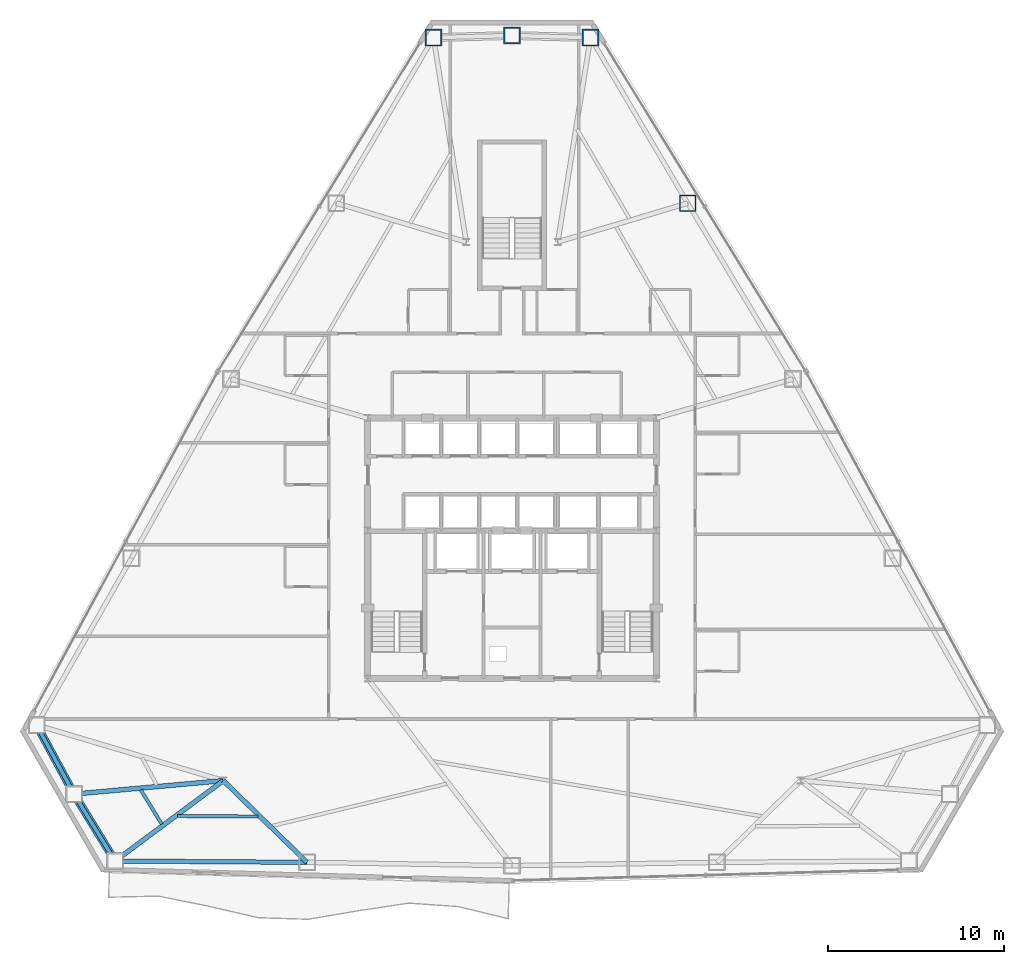
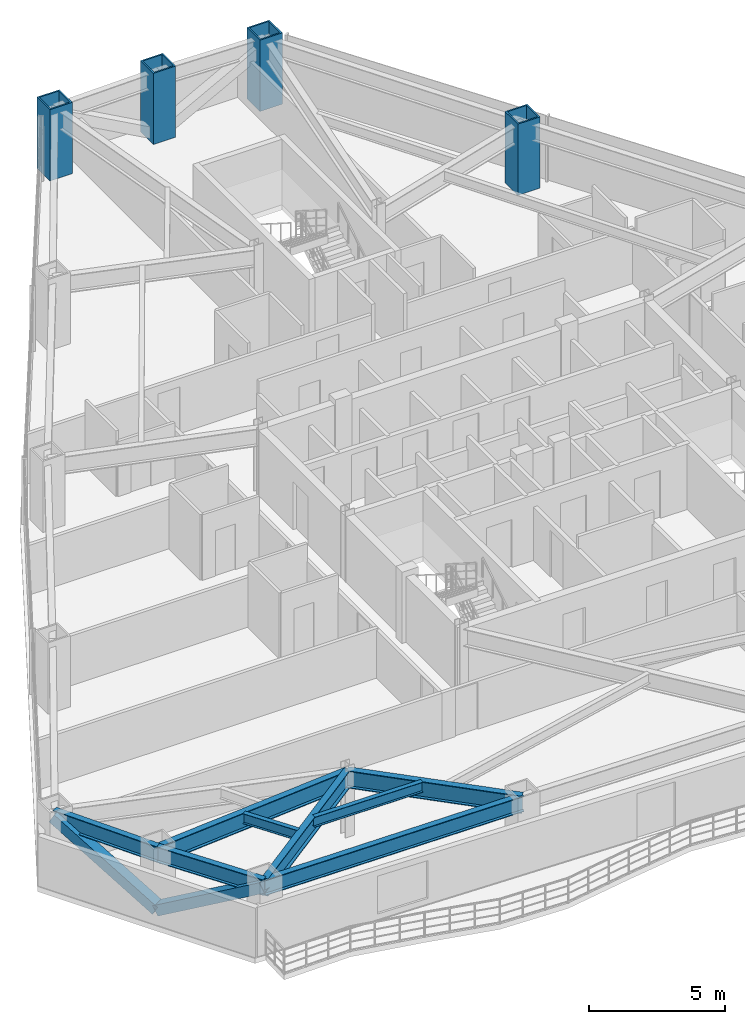
# One storey, part 3 of 13: 8 beams, 4 columns, 2 members.
"""IFC4 building model written with IfcOpenShell, lengths in metres."""

from ifc_helpers import new_model, si_unit, direction, frame, origin, origin_2d, place, context, subcontext, project, spatial, hollow_rectangle, i_section, extrude, source, transform, mapped, material, material_profile, profile_set, type_object, type_shapes, element, save


model = new_model("IFC4")

# Units and contexts
model_context = context("Model", 3, precision=1e-05, world=origin(), true_north=direction((0.0, 1.0)))
body_context = subcontext(model_context, "Body", "Model", "MODEL_VIEW")
ifc_project = project(units=[si_unit("LENGTHUNIT", "METRE"), si_unit("AREAUNIT", "SQUARE_METRE"), si_unit("VOLUMEUNIT", "CUBIC_METRE"), si_unit("PLANEANGLEUNIT", "RADIAN"), si_unit("MASSUNIT", "GRAM", prefix="KILO")], contexts=[model_context])

# Site, building, storey
site_placement = place(None, origin())
site = spatial("IfcSite", under=ifc_project, at=site_placement, CompositionType="ELEMENT")
building_placement = place(site_placement, origin())
building = spatial("IfcBuilding", under=site, at=building_placement, Name="Varakhsha Concourse Tower", CompositionType="ELEMENT")
storey_placement = place(building_placement, frame((0.0, 0.0, 108.60009765625)))
storey = spatial("IfcBuildingStorey", under=building, at=storey_placement, Name="L31", CompositionType="ELEMENT", Elevation=108.60009765625)

# Columns
ifc_material_1 = material(Name="Structural Steel ASTM A572 Grade 50", Category="steel")
ifc_material_profile_1 = material_profile(ifc_material_1, hollow_rectangle(XDim=0.949951171875, YDim=0.949951171875, WallThickness=0.06494140625, at=origin_2d()), Name="BOX 950x950x65")
ifc_profile_set_1 = profile_set([ifc_material_profile_1], Name="Structural Steel ASTM A572 Grade 50")
column_type = type_object("IfcColumnType", Name="CL-TUBE-950", PredefinedType="COLUMN", material=ifc_profile_set_1)
for number, where, z_axis, x_axis, name in (
    (1, (44.45849609375, 52.807861328125, 0.0), (0.0, 0.0, 1.0), (1.0, 0.0, 0.0), "L31 Framed-Tube Column TC01"),
    (2, (40.0, 52.927734375, 0.0), (0.0, 0.0, 1.0), (1.0, 0.0, 0.0), "L31 Framed-Tube Column TC02"),
    (3, (35.54150390625, 52.807861328125, 0.0), (0.0, 0.0, 1.0), (1.0, 0.0, 0.0), "L31 Framed-Tube Column TC03"),
    (4, (49.9765625, 43.40380859375, 0.0), (0.0, 0.0, 1.0), (1.0, 0.0, 0.0), "L31 Framed-Tube Column TC18"),
):
    element("IfcColumn", number, at=place(storey_placement, frame(where, z_axis=z_axis, x_axis=x_axis)), inside=storey, type_object=column_type, Name=name, PredefinedType="COLUMN", context=body_context, shape_type="SweptSolid", body=[
        extrude(hollow_rectangle(XDim=0.949951171875, YDim=0.949951171875, WallThickness=0.06494140625, at=origin_2d()), origin(), (0.0, 0.0, 1.0), 3.199951171875),
    ])

# Beams
ifc_material_2 = material(Name="Structural Steel ASTM A992 Grade 50", Category="steel")
ifc_material_profile_2 = material_profile(ifc_material_2, i_section(OverallWidth=0.26611328125, OverallDepth=0.779052734375, WebThickness=0.01708984375, FlangeThickness=0.030029296875, at=origin_2d()), Name="W30X148")
ifc_profile_set_2 = profile_set([ifc_material_profile_2], Name="Structural Steel ASTM A992 Grade 50")
beam_type_1 = type_object("IfcBeamType", Name="BM-BASE-W30X148", PredefinedType="USERDEFINED", material=ifc_profile_set_2)
beam_1_placement = place(storey_placement, frame((23.60009765625, 10.60009765625, 2.55029296875), z_axis=(-0.995965985667, -0.089731574119, 0.0), x_axis=(0.089731574119, -0.995965985667, 0.0)))
element("IfcBeam", 5, at=beam_1_placement, inside=storey, type_object=beam_type_1, Name="L31 Radial Floor Girder 08", ObjectType="GIRDER", PredefinedType="USERDEFINED", context=body_context, shape_type="SweptSolid", body=[
    extrude(i_section(OverallWidth=0.26611328125, OverallDepth=0.779052734375, WebThickness=0.01708984375, FlangeThickness=0.030029296875, at=origin_2d()), origin(), (0.0, 0.0, 1.0), 8.513427734375),
])
beam_2_placement = place(storey_placement, frame((23.60009765625, 10.60009765625, 2.55029296875), z_axis=(-0.802769579704, -0.596289360883, 0.0), x_axis=(0.596289360883, -0.802769579704, 0.0)))
element("IfcBeam", 6, at=beam_2_placement, inside=storey, type_object=beam_type_1, Name="L31 Radial Floor Girder 09", ObjectType="GIRDER", PredefinedType="USERDEFINED", context=body_context, shape_type="SweptSolid", body=[
    extrude(i_section(OverallWidth=0.26611328125, OverallDepth=0.779052734375, WebThickness=0.01708984375, FlangeThickness=0.030029296875, at=origin_2d()), origin(), (0.0, 0.0, 1.0), 7.656005859375),
])
beam_3_placement = place(storey_placement, frame((23.60009765625, 10.60009765625, 2.55029296875), z_axis=(0.715722386473, -0.698384897819, 0.0), x_axis=(0.698384897819, 0.715722386473, 0.0)))
element("IfcBeam", 7, at=beam_3_placement, inside=storey, type_object=beam_type_1, Name="L31 Radial Floor Girder 10", ObjectType="GIRDER", PredefinedType="USERDEFINED", context=body_context, shape_type="SweptSolid", body=[
    extrude(i_section(OverallWidth=0.26611328125, OverallDepth=0.779052734375, WebThickness=0.01708984375, FlangeThickness=0.030029296875, at=origin_2d()), origin(), (0.0, 0.0, 1.0), 6.646484375),
])
ifc_material_profile_3 = material_profile(ifc_material_2, i_section(OverallWidth=0.19091796875, OverallDepth=0.45703125, WebThickness=0.009033203125, FlangeThickness=0.013916015625, at=origin_2d()), Name="W18X50")
ifc_profile_set_3 = profile_set([ifc_material_profile_3], Name="Structural Steel ASTM A992 Grade 50")
beam_type_2 = type_object("IfcBeamType", Name="BM-JST-W18X50", PredefinedType="JOIST", material=ifc_profile_set_3)
beam_4_placement = place(storey_placement, frame((18.9091796875, 10.07861328125, 2.71142578125), z_axis=(0.523044533112, -0.852305353956, 0.0), x_axis=(0.852305353956, 0.523044533112, 0.0)))
element("IfcBeam", 8, at=beam_4_placement, inside=storey, type_object=beam_type_2, Name="BM-TJST-L31-08", PredefinedType="JOIST", context=body_context, shape_type="SweptSolid", body=[
    extrude(i_section(OverallWidth=0.19091796875, OverallDepth=0.45703125, WebThickness=0.009033203125, FlangeThickness=0.013916015625, at=origin_2d()), origin(), (0.0, 0.0, 1.0), 2.27783203125),
])
beam_5_placement = place(storey_placement, frame((21.005859375, 8.590576171875, 2.71142578125), z_axis=(0.999975217478, -0.007040201008, 0.0), x_axis=(0.007040201008, 0.999975217478, 0.0)))
element("IfcBeam", 9, at=beam_5_placement, inside=storey, type_object=beam_type_2, Name="BM-TJST-L31-09", PredefinedType="JOIST", context=body_context, shape_type="SweptSolid", body=[
    extrude(i_section(OverallWidth=0.19091796875, OverallDepth=0.45703125, WebThickness=0.009033203125, FlangeThickness=0.013916015625, at=origin_2d()), origin(), (0.0, 0.0, 1.0), 4.577392578125),
])
ifc_material_profile_4 = material_profile(ifc_material_2, i_section(OverallWidth=0.25390625, OverallDepth=0.701904296875, WebThickness=0.014892578125, FlangeThickness=0.028076171875, at=origin_2d()), Name="W27X129")
ifc_profile_set_4 = profile_set([ifc_material_profile_4], Name="Structural Steel ASTM A992 Grade 50")
beam_type_3 = type_object("IfcBeamType", Name="BM-SPAN-W27X129", PredefinedType="SPANDREL", material=ifc_profile_set_4)
beam_6_placement = place(storey_placement, frame((12.99560546875, 13.757080078125, 2.5888671875), z_axis=(0.476572329896, -0.87913526512, 0.0), x_axis=(0.87913526512, 0.476572329896, 0.0)))
element("IfcBeam", 10, at=beam_6_placement, inside=storey, type_object=beam_type_3, Name="BM-SPAN-L31-07", PredefinedType="SPANDREL", context=body_context, shape_type="SweptSolid", body=[
    extrude(i_section(OverallWidth=0.25390625, OverallDepth=0.701904296875, WebThickness=0.014892578125, FlangeThickness=0.028076171875, at=origin_2d()), origin(), (0.0, 0.0, 1.0), 4.4599609375),
])
beam_7_placement = place(storey_placement, frame((15.12109375, 9.836181640625, 2.5888671875), z_axis=(0.523083096004, -0.852281687399, 0.0), x_axis=(0.852281687399, 0.523083096004, 0.0)))
element("IfcBeam", 11, at=beam_7_placement, inside=storey, type_object=beam_type_3, Name="BM-SPAN-L31-08", PredefinedType="SPANDREL", context=body_context, shape_type="SweptSolid", body=[
    extrude(i_section(OverallWidth=0.25390625, OverallDepth=0.701904296875, WebThickness=0.014892578125, FlangeThickness=0.028076171875, at=origin_2d()), origin(), (0.0, 0.0, 1.0), 4.460205078125),
])
beam_8_placement = place(storey_placement, frame((17.4541015625, 6.034912109375, 2.5888671875), z_axis=(0.999975283031, -0.007030883783, 0.0), x_axis=(0.007030883783, 0.999975283031, 0.0)))
element("IfcBeam", 12, at=beam_8_placement, inside=storey, type_object=beam_type_3, Name="BM-SPAN-L31-09", PredefinedType="SPANDREL", context=body_context, shape_type="SweptSolid", body=[
    extrude(i_section(OverallWidth=0.25390625, OverallDepth=0.701904296875, WebThickness=0.014892578125, FlangeThickness=0.028076171875, at=origin_2d()), origin(), (0.0, 0.0, 1.0), 10.9033203125),
])

# Members
ifc_material_3 = material(Name="Structural Steel ASTM A500 Grade C", Category="steel")
ifc_material_profile_5 = material_profile(ifc_material_3, hollow_rectangle(XDim=0.449951171875, YDim=0.449951171875, WallThickness=0.01904296875, at=origin_2d()), Name="HSS 450x450x19")
ifc_profile_set_5 = profile_set([ifc_material_profile_5], Name="Structural Steel ASTM A500 Grade C")
member_type = type_object("IfcMemberType", Name="MB-TUBE-HSS450", PredefinedType="BRACE", material=ifc_profile_set_5)
shared_shape_1 = source(origin(), body_context, "Body", "SweptSolid", [
    extrude(hollow_rectangle(XDim=0.449951171875, YDim=0.449951171875, WallThickness=0.01904296875, at=origin_2d()), origin(), (0.0, 0.0, 1.0), 5.122802734375),
])
member_1_placement = place(storey_placement, frame((15.12109375, 9.836181640625, 0.119873046875), z_axis=(0.455416583654, -0.742029741261, 0.491922349987), x_axis=(0.852281687399, 0.523083096004, 0.0)))
element("IfcMember", 13, at=member_1_placement, inside=storey, type_object=member_type, Name="L31 Wind-Corner Tube Brace B04", PredefinedType="BRACE", context=body_context, shape_type="MappedRepresentation", body=[
    mapped(shared_shape_1, transform((0.0, 0.0, 0.0), scale=1.0)),
])
shared_shape_2 = source(origin(), body_context, "Body", "SweptSolid", [
    extrude(hollow_rectangle(XDim=0.449951171875, YDim=0.449951171875, WallThickness=0.01904296875, at=origin_2d()), origin(), (0.0, 0.0, 1.0), 5.12255859375),
])
type_shapes(member_type, [shared_shape_1, shared_shape_2])
member_2_placement = place(storey_placement, frame((15.12109375, 9.836181640625, 0.119873046875), z_axis=(-0.414918882796, 0.765402855238, 0.491935757893), x_axis=(-0.87913526512, -0.476572329896, 0.0)))
element("IfcMember", 14, at=member_2_placement, inside=storey, type_object=member_type, Name="L31 Wind-Corner Tube Brace B03", PredefinedType="BRACE", context=body_context, shape_type="MappedRepresentation", body=[
    mapped(shared_shape_2, transform((0.0, 0.0, 0.0), scale=1.0)),
])

save(model, "model.ifc")
